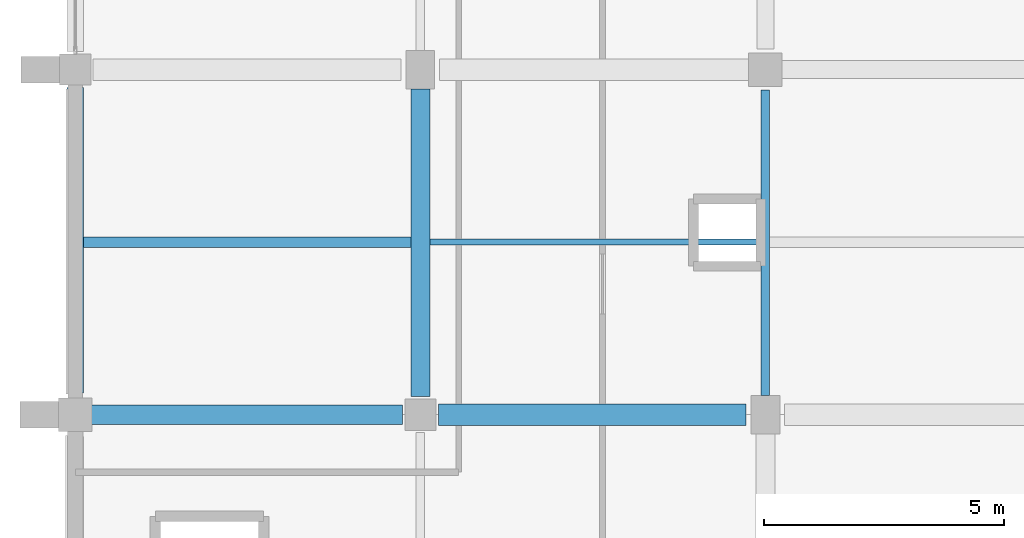
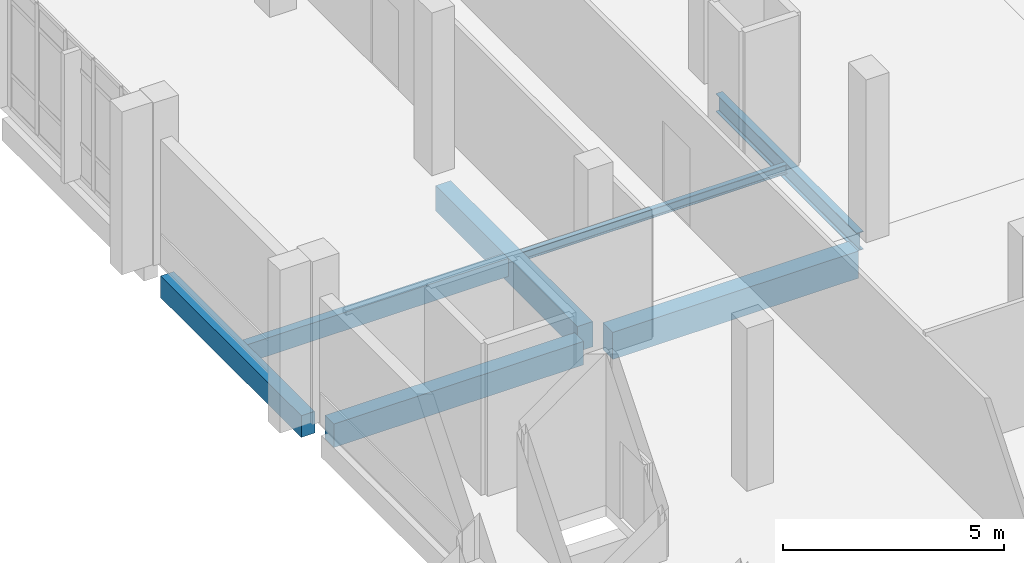
# One storey, part 32 of 124: 7 beams.
"""IFC4 building model written with IfcOpenShell, lengths in metres."""

from ifc_helpers import new_model, si_unit, direction, frame, origin, origin_2d, place, context, subcontext, project, spatial, rectangle, i_section, extrude, material, material_profile, profile_set, type_object, element, save


model = new_model("IFC4")

# Units and contexts
model_context = context("Model", 3, precision=1e-05, world=origin(), true_north=direction((0.0, 1.0)))
body_context = subcontext(model_context, "Body", "Model", "MODEL_VIEW")
ifc_project = project(units=[si_unit("LENGTHUNIT", "METRE"), si_unit("AREAUNIT", "SQUARE_METRE"), si_unit("VOLUMEUNIT", "CUBIC_METRE"), si_unit("PLANEANGLEUNIT", "RADIAN"), si_unit("MASSUNIT", "GRAM", prefix="KILO")], contexts=[model_context])

# Site, building, storey
site_placement = place(None, origin())
site = spatial("IfcSite", under=ifc_project, at=site_placement, CompositionType="ELEMENT")
building_placement = place(site_placement, origin())
building = spatial("IfcBuilding", under=site, at=building_placement, Name="Kalluvel Institute of Natural Sciences", CompositionType="ELEMENT")
storey_placement = place(building_placement, frame((0.0, 0.0, 9.89990234375)))
storey = spatial("IfcBuildingStorey", under=building, at=storey_placement, Name="L02", CompositionType="ELEMENT", Elevation=9.89990234375)

# Beams
ifc_material_1 = material(Name="Steel E350 Grade 350", Category="steel")
ifc_material_profile_1 = material_profile(ifc_material_1, i_section(OverallWidth=0.179931640625, OverallDepth=0.5, WebThickness=0.01025390625, FlangeThickness=0.01708984375, FilletRadius=0.01708984375, at=origin_2d()), Name="ISMB 500")
ifc_profile_set_1 = profile_set([ifc_material_profile_1], Name="Steel E350 Grade 350")
beam_type_1 = type_object("IfcBeamType", Name="BM-ISMB500", PredefinedType="BEAM", material=ifc_profile_set_1)
beam_1_placement = place(storey_placement, frame((28.39990234375, 64.800048828125, -0.5498046875), z_axis=(0.0, 1.0, 0.0), x_axis=(-1.0, 0.0, 0.0)))
element("IfcBeam", 1, at=beam_1_placement, inside=storey, type_object=beam_type_1, Name="L02 girder GIR-L02-NS-X284-Y644", PredefinedType="BEAM", context=body_context, shape_type="SweptSolid", body=[
    extrude(i_section(OverallWidth=0.179931640625, OverallDepth=0.5, WebThickness=0.01025390625, FlangeThickness=0.01708984375, FilletRadius=0.01708984375, at=origin_2d()), origin(), (0.0, 0.0, 1.0), 6.375),
])
ifc_material_2 = material(Name="Concrete M40", Category="concrete")
ifc_material_profile_2 = material_profile(ifc_material_2, rectangle(XDim=0.39990234375, YDim=0.64990234375, at=origin_2d()), Name="RCB 400x650")
ifc_profile_set_2 = profile_set([ifc_material_profile_2], Name="Concrete M40")
beam_type_2 = type_object("IfcBeamType", Name="BM-RC400x650", PredefinedType="BEAM", material=ifc_profile_set_2)
beam_2_placement = place(storey_placement, frame((14.300048828125, 64.39990234375, -0.625), z_axis=(1.0, 0.0, 0.0), x_axis=(0.0, 1.0, 0.0)))
element("IfcBeam", 2, at=beam_2_placement, inside=storey, type_object=beam_type_2, Name="L02 girder GIR-L02-EW-X140-Y644", PredefinedType="BEAM", context=body_context, shape_type="SweptSolid", body=[
    extrude(rectangle(XDim=0.39990234375, YDim=0.64990234375, at=origin_2d()), origin(), (0.0, 0.0, 1.0), 6.52490234375),
])
ifc_material_profile_3 = material_profile(ifc_material_2, rectangle(XDim=0.39990234375, YDim=0.699951171875, at=origin_2d()), Name="RCB 400x700")
ifc_profile_set_3 = profile_set([ifc_material_profile_3], Name="Concrete M40")
beam_type_3 = type_object("IfcBeamType", Name="BM-RC400x700", PredefinedType="BEAM", material=ifc_profile_set_3)
beam_3_placement = place(storey_placement, frame((21.199951171875, 64.77490234375, -0.64990234375), z_axis=(0.0, 1.0, 0.0), x_axis=(-1.0, 0.0, 0.0)))
element("IfcBeam", 3, at=beam_3_placement, inside=storey, type_object=beam_type_3, Name="L02 girder GIR-L02-NS-X212-Y644", PredefinedType="BEAM", context=body_context, shape_type="SweptSolid", body=[
    extrude(rectangle(XDim=0.39990234375, YDim=0.699951171875, at=origin_2d()), origin(), (0.0, 0.0, 1.0), 6.425048828125),
])
ifc_material_profile_4 = material_profile(ifc_material_2, rectangle(XDim=0.449951171875, YDim=0.75, at=origin_2d()), Name="RCB 450x750")
ifc_profile_set_4 = profile_set([ifc_material_profile_4], Name="Concrete M40")
beam_type_4 = type_object("IfcBeamType", Name="BM-RC450x750", PredefinedType="BEAM", material=ifc_profile_set_4)
beam_4_placement = place(storey_placement, frame((21.574951171875, 64.39990234375, -0.6748046875), z_axis=(1.0, 0.0, 0.0), x_axis=(0.0, 1.0, 0.0)))
element("IfcBeam", 4, at=beam_4_placement, inside=storey, type_object=beam_type_4, Name="L02 girder GIR-L02-EW-X212-Y644", PredefinedType="BEAM", context=body_context, shape_type="SweptSolid", body=[
    extrude(rectangle(XDim=0.449951171875, YDim=0.75, at=origin_2d()), origin(), (0.0, 0.0, 1.0), 6.425048828125),
])
ifc_material_profile_5 = material_profile(ifc_material_2, rectangle(XDim=0.35009765625, YDim=0.60009765625, at=origin_2d()), Name="RCB 350x600")
ifc_profile_set_5 = profile_set([ifc_material_profile_5], Name="Concrete M40")
beam_type_5 = type_object("IfcBeamType", Name="SP-RC350x600", PredefinedType="SPANDREL", material=ifc_profile_set_5)
beam_5_placement = place(storey_placement, frame((14.0, 64.85009765625, -0.599853515625), z_axis=(0.0, 1.0, 0.0), x_axis=(-1.0, 0.0, 0.0)))
element("IfcBeam", 5, at=beam_5_placement, inside=storey, type_object=beam_type_5, Name="L02 girder GIR-L02-NS-X140-Y644", PredefinedType="SPANDREL", context=body_context, shape_type="SweptSolid", body=[
    extrude(rectangle(XDim=0.35009765625, YDim=0.60009765625, at=origin_2d()), origin(), (0.0, 0.0, 1.0), 6.375),
])
ifc_material_profile_6 = material_profile(ifc_material_2, rectangle(XDim=0.219970703125, YDim=0.5, at=origin_2d()), Name="WAF 220x500")
ifc_profile_set_6 = profile_set([ifc_material_profile_6], Name="Concrete M40")
beam_type_6 = type_object("IfcBeamType", Name="WJ-220x500", PredefinedType="JOIST", material=ifc_profile_set_6)
beam_6_placement = place(storey_placement, frame((14.175048828125, 68.0, -0.5498046875), z_axis=(1.0, 0.0, 0.0), x_axis=(0.0, 1.0, 0.0)))
element("IfcBeam", 6, at=beam_6_placement, inside=storey, type_object=beam_type_6, Name="L02 floor rib RIB-L02-0671", PredefinedType="JOIST", context=body_context, shape_type="SweptSolid", body=[
    extrude(rectangle(XDim=0.219970703125, YDim=0.5, at=origin_2d()), origin(), (0.0, 0.0, 1.0), 6.824951171875),
])
ifc_material_profile_7 = material_profile(ifc_material_1, i_section(OverallWidth=0.125, OverallDepth=0.25, WebThickness=0.0068359375, FlangeThickness=0.012451171875, FilletRadius=0.012939453125, at=origin_2d()), Name="ISMB 250")
ifc_profile_set_7 = profile_set([ifc_material_profile_7], Name="Steel E350 Grade 350")
beam_type_7 = type_object("IfcBeamType", Name="WJ-ISMB250", PredefinedType="JOIST", material=ifc_profile_set_7)
beam_7_placement = place(storey_placement, frame((21.39990234375, 68.0, -0.4248046875), z_axis=(1.0, 0.0, 0.0), x_axis=(0.0, 1.0, 0.0)))
element("IfcBeam", 7, at=beam_7_placement, inside=storey, type_object=beam_type_7, Name="L02 floor rib RIB-L02-0672", PredefinedType="JOIST", context=body_context, shape_type="SweptSolid", body=[
    extrude(i_section(OverallWidth=0.125, OverallDepth=0.25, WebThickness=0.0068359375, FlangeThickness=0.012451171875, FilletRadius=0.012939453125, at=origin_2d()), origin(), (0.0, 0.0, 1.0), 6.91015625),
])

save(model, "model.ifc")
